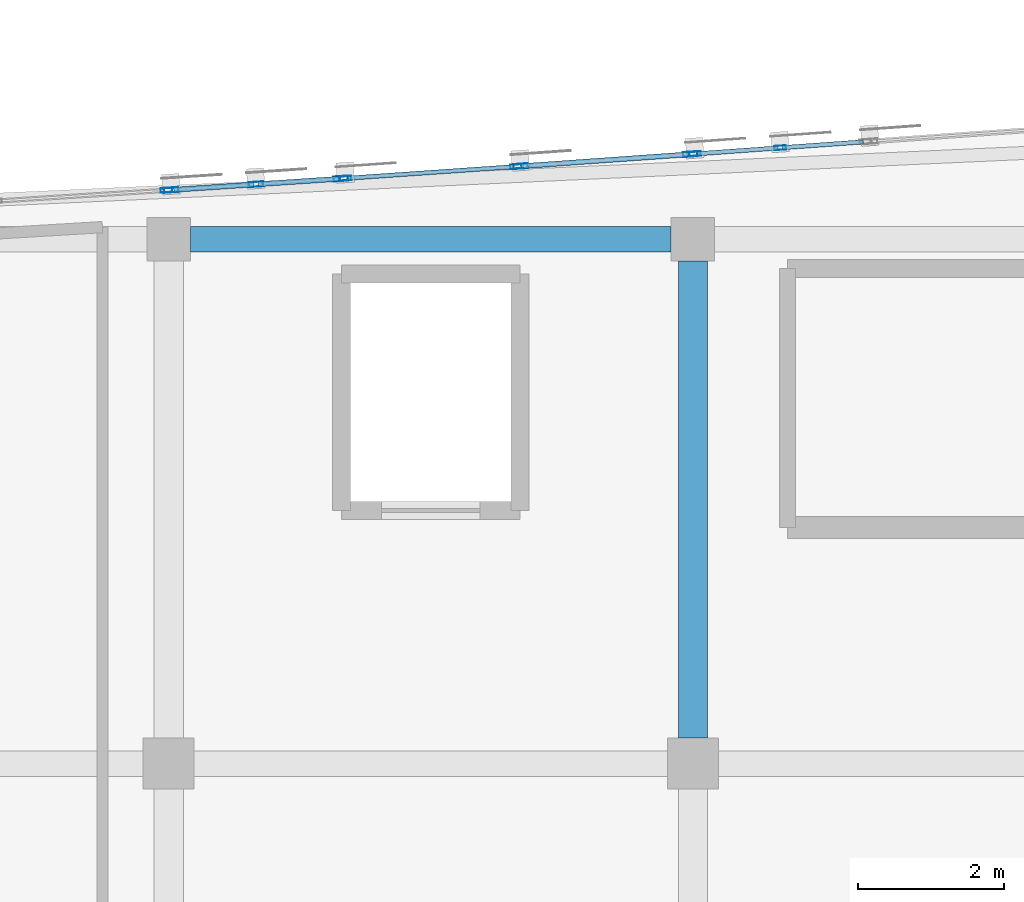
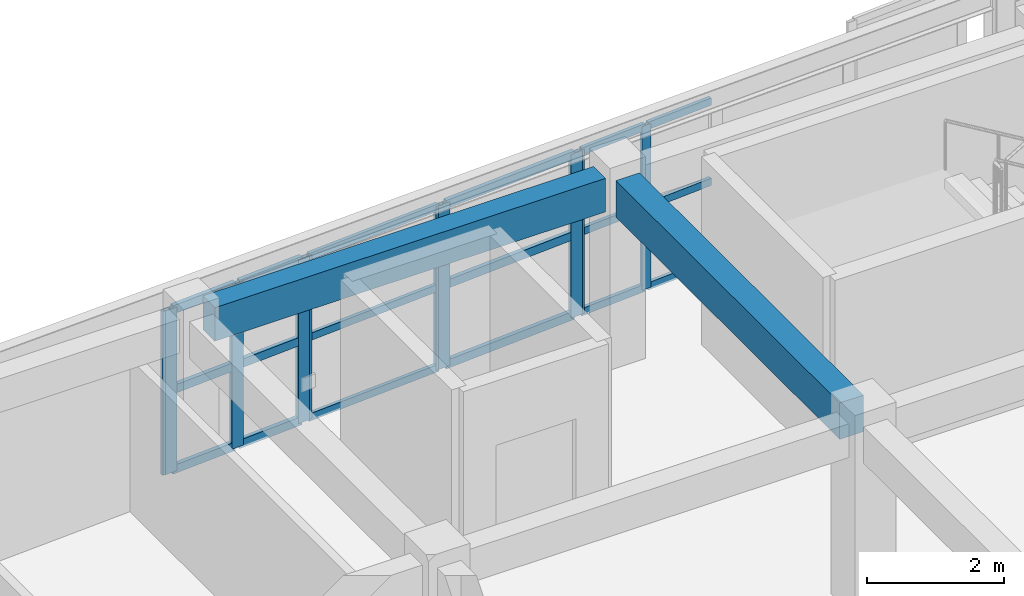
# One storey, part 8 of 48: 28 members, 2 beams, 5 elements without a shape of their own.
"""IFC4 building model written with IfcOpenShell, lengths in metres."""

from ifc_helpers import new_model, si_unit, direction, frame, origin, origin_2d, place, context, subcontext, project, spatial, rectangle, hollow_rectangle, extrude, material, layer, layer_set, material_profile, profile_set, type_object, element, aggregate, save


model = new_model("IFC4")

# Units and contexts
model_context = context("Model", 3, precision=1e-05, world=origin(), true_north=direction((0.0, 1.0)))
body_context = subcontext(model_context, "Body", "Model", "MODEL_VIEW")
ifc_project = project(units=[si_unit("LENGTHUNIT", "METRE"), si_unit("AREAUNIT", "SQUARE_METRE"), si_unit("VOLUMEUNIT", "CUBIC_METRE"), si_unit("PLANEANGLEUNIT", "RADIAN"), si_unit("MASSUNIT", "GRAM", prefix="KILO")], contexts=[model_context])

# Site, building, storey
site_placement = place(None, origin())
site = spatial("IfcSite", under=ifc_project, at=site_placement, CompositionType="ELEMENT")
building_placement = place(site_placement, origin())
building = spatial("IfcBuilding", under=site, at=building_placement, Name="Carrowvane Square Congress Hotel", CompositionType="ELEMENT")
storey_placement = place(building_placement, frame((0.0, 0.0, 26.39990234375)))
storey = spatial("IfcBuildingStorey", under=building, at=storey_placement, Name="L06", CompositionType="ELEMENT", Elevation=26.39990234375)

# Beams
ifc_material_1 = material(Name="Concrete C35/45", Category="concrete")
ifc_material_profile_1 = material_profile(ifc_material_1, rectangle(XDim=0.35009765625, YDim=0.60009765625, at=origin_2d()), Name="RC 350x600")
ifc_profile_set_1 = profile_set([ifc_material_profile_1], Name="Concrete C35/45")
beam_type_1 = type_object("IfcBeamType", Name="BM-RC-350x600", PredefinedType="BEAM", material=ifc_profile_set_1)
beam_1_placement = place(storey_placement, frame((47.89990234375, 113.39990234375, 3.050048828125), z_axis=(1.0, 0.0, 0.0), x_axis=(0.0, 1.0, 0.0)))
element("IfcBeam", 1, at=beam_1_placement, inside=storey, type_object=beam_type_1, Name="L07 girder R/6-7", PredefinedType="BEAM", context=body_context, shape_type="SweptSolid", body=[
    extrude(rectangle(XDim=0.35009765625, YDim=0.60009765625, at=origin_2d()), origin(), (0.0, 0.0, 1.0), 6.60009765625),
])
ifc_material_2 = material(Name="Concrete C35/45", Category="concrete")
ifc_material_profile_2 = material_profile(ifc_material_2, rectangle(XDim=0.39990234375, YDim=0.64990234375, at=origin_2d()), Name="RC 400x650")
ifc_profile_set_2 = profile_set([ifc_material_profile_2], Name="Concrete C35/45")
beam_type_2 = type_object("IfcBeamType", Name="BM-RC-400x650", PredefinedType="BEAM", material=ifc_profile_set_2)
beam_2_placement = place(storey_placement, frame((54.800048828125, 106.550048828125, 3.025146484375), z_axis=(0.0, 1.0, 0.0), x_axis=(-1.0, 0.0, 0.0)))
element("IfcBeam", 2, at=beam_2_placement, inside=storey, type_object=beam_type_2, Name="L07 girder 7/Q-R", PredefinedType="BEAM", context=body_context, shape_type="SweptSolid", body=[
    extrude(rectangle(XDim=0.39990234375, YDim=0.64990234375, at=origin_2d()), origin(), (0.0, 0.0, 1.0), 6.550048828125),
])

# Curtain wall, member
ifc_material_3 = material(Name="Anodised aluminium", Category="aluminium")
ifc_layer_1 = layer(ifc_material_3, 0.162109375)
ifc_layer_set_1 = layer_set([ifc_layer_1], Name="Anodised aluminium")
curtain_wall_type_1 = type_object("IfcCurtainWallType", Name="CW-SYS-1", PredefinedType="NOTDEFINED", material=ifc_layer_set_1)
curtain_wall_1_placement = place(storey_placement, origin())
curtain_wall_1 = element("IfcCurtainWall", 3, at=curtain_wall_1_placement, inside=storey, type_object=curtain_wall_type_1, Name="L06 unitised curtain wall 360", PredefinedType="NOTDEFINED")
ifc_material_4 = material(Name="Anodised aluminium", Category="aluminium")
ifc_material_profile_3 = material_profile(ifc_material_4, hollow_rectangle(XDim=0.06005859375, YDim=0.159912109375, WallThickness=0.00390625, at=origin_2d()), Name="CW-ML 60x160x4")
ifc_profile_set_3 = profile_set([ifc_material_profile_3], Name="Anodised aluminium")
member_type_1 = type_object("IfcMemberType", Name="CW-MUL-1", PredefinedType="MULLION", material=ifc_profile_set_3)
member_1_placement = place(storey_placement, frame((47.570068359375, 114.073486328125, 0.0), z_axis=(0.0, 0.0, 1.0), x_axis=(-0.063273487972, 0.997996225303, 0.0)))
member_1 = element("IfcMember", 4, at=member_1_placement, type_object=member_type_1, Name="CW-1 mullion 2", PredefinedType="MULLION", context=body_context, shape_type="SweptSolid", body=[
    extrude(hollow_rectangle(XDim=0.06005859375, YDim=0.159912109375, WallThickness=0.00390625, at=origin_2d()), origin(), (0.0, 0.0, 1.0), 2.92578125),
])
aggregate(curtain_wall_1, [member_1])

# Curtain wall, members
ifc_material_5 = material(Name="Anodised aluminium", Category="aluminium")
ifc_layer_2 = layer(ifc_material_5, 0.18603515625)
ifc_layer_set_2 = layer_set([ifc_layer_2], Name="Anodised aluminium")
curtain_wall_type_2 = type_object("IfcCurtainWallType", Name="CW-SYS-3", PredefinedType="NOTDEFINED", material=ifc_layer_set_2)
curtain_wall_2_placement = place(storey_placement, origin())
curtain_wall_2 = element("IfcCurtainWall", 5, at=curtain_wall_2_placement, inside=storey, type_object=curtain_wall_type_2, Name="L06 unitised curtain wall 362", PredefinedType="NOTDEFINED")
member_2_placement = place(storey_placement, frame((50.030029296875, 114.237548828125, 0.0), z_axis=(0.0, 0.0, 1.0), x_axis=(-0.068986120725, 0.997617619706, 0.0)))
member_2 = element("IfcMember", 6, at=member_2_placement, type_object=member_type_1, Name="CW-3 mullion 1", PredefinedType="MULLION", context=body_context, shape_type="SweptSolid", body=[
    extrude(hollow_rectangle(XDim=0.06005859375, YDim=0.159912109375, WallThickness=0.00390625, at=origin_2d()), origin(), (0.0, 0.0, 1.0), 2.92578125),
])
member_3_placement = place(storey_placement, frame((52.3701171875, 114.3994140625, 0.0), z_axis=(0.0, 0.0, 1.0), x_axis=(-0.068986120725, 0.997617619706, 0.0)))
member_3 = element("IfcMember", 7, at=member_3_placement, type_object=member_type_1, Name="CW-3 mullion 2", PredefinedType="MULLION", context=body_context, shape_type="SweptSolid", body=[
    extrude(hollow_rectangle(XDim=0.06005859375, YDim=0.159912109375, WallThickness=0.00390625, at=origin_2d()), origin(), (0.0, 0.0, 1.0), 2.92578125),
])

ifc_material_6 = material(Name="Anodised aluminium", Category="aluminium")
ifc_layer_3 = layer(ifc_material_6, 0.2099609375)
ifc_layer_set_3 = layer_set([ifc_layer_3], Name="Anodised aluminium")
curtain_wall_type_3 = type_object("IfcCurtainWallType", Name="CW-SYS-5", PredefinedType="NOTDEFINED", material=ifc_layer_set_3)
curtain_wall_3_placement = place(storey_placement, origin())
curtain_wall_3 = element("IfcCurtainWall", 8, at=curtain_wall_3_placement, inside=storey, type_object=curtain_wall_type_3, Name="L06 unitised curtain wall 364", PredefinedType="NOTDEFINED")
member_4_placement = place(storey_placement, frame((54.829833984375, 114.573486328125, 0.0), z_axis=(0.0, 0.0, 1.0), x_axis=(-0.071418356042, 0.997446448898, 0.0)))
member_4 = element("IfcMember", 9, at=member_4_placement, type_object=member_type_1, Name="CW-5 mullion 1", PredefinedType="MULLION", context=body_context, shape_type="SweptSolid", body=[
    extrude(hollow_rectangle(XDim=0.06005859375, YDim=0.159912109375, WallThickness=0.00390625, at=origin_2d()), origin(), (0.0, 0.0, 1.0), 2.92578125),
])
member_5_placement = place(storey_placement, frame((56.0, 114.6572265625, 0.0), z_axis=(0.0, 0.0, 1.0), x_axis=(-0.071418356042, 0.997446448898, 0.0)))
member_5 = element("IfcMember", 10, at=member_5_placement, type_object=member_type_1, Name="CW-5 mullion 2", PredefinedType="MULLION", context=body_context, shape_type="SweptSolid", body=[
    extrude(hollow_rectangle(XDim=0.06005859375, YDim=0.159912109375, WallThickness=0.00390625, at=origin_2d()), origin(), (0.0, 0.0, 1.0), 2.92578125),
])

ifc_material_7 = material(Name="Anodised aluminium", Category="aluminium")
ifc_layer_4 = layer(ifc_material_7, 0.174072265625)
ifc_layer_set_4 = layer_set([ifc_layer_4], Name="Anodised aluminium")
curtain_wall_type_4 = type_object("IfcCurtainWallType", Name="CW-SYS-2", PredefinedType="NOTDEFINED", material=ifc_layer_set_4)
curtain_wall_4_placement = place(storey_placement, origin())
curtain_wall_4 = element("IfcCurtainWall", 11, at=curtain_wall_4_placement, inside=storey, type_object=curtain_wall_type_4, Name="L06 unitised curtain wall 361", PredefinedType="NOTDEFINED")
ifc_material_8 = material(Name="Anodised aluminium", Category="aluminium")
ifc_material_profile_4 = material_profile(ifc_material_8, hollow_rectangle(XDim=0.070068359375, YDim=0.199951171875, WallThickness=0.0048828125, at=origin_2d()), Name="CW-ML 70x200x5")
ifc_profile_set_4 = profile_set([ifc_material_profile_4], Name="Anodised aluminium")
member_type_2 = type_object("IfcMemberType", Name="CW-MUL-2", PredefinedType="MULLION", material=ifc_profile_set_4)
member_6_placement = place(storey_placement, frame((47.635009765625, 114.07763671875, 0.0), z_axis=(0.0, 0.0, 1.0), x_axis=(-0.066578061501, 0.99778121937, 0.0)))
member_6 = element("IfcMember", 12, at=member_6_placement, type_object=member_type_2, Name="CW-2 mullion 1", PredefinedType="MULLION", context=body_context, shape_type="SweptSolid", body=[
    extrude(hollow_rectangle(XDim=0.070068359375, YDim=0.199951171875, WallThickness=0.0048828125, at=origin_2d()), origin(), (0.0, 0.0, 1.0), 2.92578125),
])
member_7_placement = place(storey_placement, frame((48.800048828125, 114.155517578125, 0.0), z_axis=(0.0, 0.0, 1.0), x_axis=(-0.066578061501, 0.99778121937, 0.0)))
member_7 = element("IfcMember", 13, at=member_7_placement, type_object=member_type_2, Name="CW-2 mullion 2", PredefinedType="MULLION", context=body_context, shape_type="SweptSolid", body=[
    extrude(hollow_rectangle(XDim=0.070068359375, YDim=0.199951171875, WallThickness=0.0048828125, at=origin_2d()), origin(), (0.0, 0.0, 1.0), 2.92578125),
])
member_8_placement = place(storey_placement, frame((49.965087890625, 114.233154296875, 0.0), z_axis=(0.0, 0.0, 1.0), x_axis=(-0.066578061501, 0.99778121937, 0.0)))
member_8 = element("IfcMember", 14, at=member_8_placement, type_object=member_type_2, Name="CW-2 mullion 3", PredefinedType="MULLION", context=body_context, shape_type="SweptSolid", body=[
    extrude(hollow_rectangle(XDim=0.070068359375, YDim=0.199951171875, WallThickness=0.0048828125, at=origin_2d()), origin(), (0.0, 0.0, 1.0), 2.92578125),
])

ifc_material_9 = material(Name="Anodised aluminium", Category="aluminium")
ifc_layer_5 = layer(ifc_material_9, 0.197998046875)
ifc_layer_set_5 = layer_set([ifc_layer_5], Name="Anodised aluminium")
curtain_wall_type_5 = type_object("IfcCurtainWallType", Name="CW-SYS-4", PredefinedType="NOTDEFINED", material=ifc_layer_set_5)
curtain_wall_5_placement = place(storey_placement, origin())
curtain_wall_5 = element("IfcCurtainWall", 15, at=curtain_wall_5_placement, inside=storey, type_object=curtain_wall_type_5, Name="L06 unitised curtain wall 363", PredefinedType="NOTDEFINED")
member_9_placement = place(storey_placement, frame((52.434814453125, 114.40380859375, 0.0), z_axis=(0.0, 0.0, 1.0), x_axis=(-0.070585996942, 0.997505697746, 0.0)))
member_9 = element("IfcMember", 16, at=member_9_placement, type_object=member_type_2, Name="CW-4 mullion 1", PredefinedType="MULLION", context=body_context, shape_type="SweptSolid", body=[
    extrude(hollow_rectangle(XDim=0.070068359375, YDim=0.199951171875, WallThickness=0.0048828125, at=origin_2d()), origin(), (0.0, 0.0, 1.0), 2.92578125),
])
member_10_placement = place(storey_placement, frame((54.76513671875, 114.56884765625, 0.0), z_axis=(0.0, 0.0, 1.0), x_axis=(-0.070585996942, 0.997505697746, 0.0)))
member_10 = element("IfcMember", 17, at=member_10_placement, type_object=member_type_2, Name="CW-4 mullion 2", PredefinedType="MULLION", context=body_context, shape_type="SweptSolid", body=[
    extrude(hollow_rectangle(XDim=0.070068359375, YDim=0.199951171875, WallThickness=0.0048828125, at=origin_2d()), origin(), (0.0, 0.0, 1.0), 2.92578125),
])

# Member
ifc_material_10 = material(Name="Anodised aluminium", Category="aluminium")
ifc_material_profile_5 = material_profile(ifc_material_10, hollow_rectangle(XDim=0.06005859375, YDim=0.1298828125, WallThickness=0.00390625, at=origin_2d()), Name="CW-TR 60x130x4")
ifc_profile_set_5 = profile_set([ifc_material_profile_5], Name="Anodised aluminium")
member_type_3 = type_object("IfcMemberType", Name="CW-TRN-1", PredefinedType="USERDEFINED", material=ifc_profile_set_5)
member_11_placement = place(storey_placement, frame((50.059814453125, 114.239501953125, 0.030029296875), z_axis=(0.997616657175, 0.069000038601, 0.0), x_axis=(-0.069000038601, 0.997616657175, 0.0)))
member_11 = element("IfcMember", 18, at=member_11_placement, type_object=member_type_3, Name="CW-3 transom 1.1", ObjectType="TRANSOM", PredefinedType="USERDEFINED", context=body_context, shape_type="SweptSolid", body=[
    extrude(hollow_rectangle(XDim=0.06005859375, YDim=0.1298828125, WallThickness=0.00390625, at=origin_2d()), origin(), (0.0, 0.0, 1.0), 2.28564453125),
])

member_12_placement = place(storey_placement, frame((50.059814453125, 114.239501953125, 1.462890625), z_axis=(0.997616657175, 0.069000038601, 0.0), x_axis=(-0.069000038601, 0.997616657175, 0.0)))
member_12 = element("IfcMember", 19, at=member_12_placement, type_object=member_type_3, Name="CW-3 transom 1.2", ObjectType="TRANSOM", PredefinedType="USERDEFINED", context=body_context, shape_type="SweptSolid", body=[
    extrude(hollow_rectangle(XDim=0.06005859375, YDim=0.1298828125, WallThickness=0.00390625, at=origin_2d()), origin(), (0.0, 0.0, 1.0), 2.28564453125),
])

member_13_placement = place(storey_placement, frame((50.059814453125, 114.239501953125, 2.895751953125), z_axis=(0.997616657175, 0.069000038601, 0.0), x_axis=(-0.069000038601, 0.997616657175, 0.0)))
member_13 = element("IfcMember", 20, at=member_13_placement, type_object=member_type_3, Name="CW-3 transom 1.3", ObjectType="TRANSOM", PredefinedType="USERDEFINED", context=body_context, shape_type="SweptSolid", body=[
    extrude(hollow_rectangle(XDim=0.06005859375, YDim=0.1298828125, WallThickness=0.00390625, at=origin_2d()), origin(), (0.0, 0.0, 1.0), 2.28564453125),
])

aggregate(curtain_wall_2, [member_2, member_3, member_11, member_12, member_13])

member_14_placement = place(storey_placement, frame((54.85986328125, 114.575439453125, 0.030029296875), z_axis=(0.997439734895, 0.071512063685, 0.0), x_axis=(-0.071512063685, 0.997439734895, 0.0)))
member_14 = element("IfcMember", 21, at=member_14_placement, type_object=member_type_3, Name="CW-5 transom 1.1", ObjectType="TRANSOM", PredefinedType="USERDEFINED", context=body_context, shape_type="SweptSolid", body=[
    extrude(hollow_rectangle(XDim=0.06005859375, YDim=0.1298828125, WallThickness=0.00390625, at=origin_2d()), origin(), (0.0, 0.0, 1.0), 1.113037109375),
])

member_15_placement = place(storey_placement, frame((54.85986328125, 114.575439453125, 1.462890625), z_axis=(0.997439734895, 0.071512063685, 0.0), x_axis=(-0.071512063685, 0.997439734895, 0.0)))
member_15 = element("IfcMember", 22, at=member_15_placement, type_object=member_type_3, Name="CW-5 transom 1.2", ObjectType="TRANSOM", PredefinedType="USERDEFINED", context=body_context, shape_type="SweptSolid", body=[
    extrude(hollow_rectangle(XDim=0.06005859375, YDim=0.1298828125, WallThickness=0.00390625, at=origin_2d()), origin(), (0.0, 0.0, 1.0), 1.113037109375),
])

member_16_placement = place(storey_placement, frame((54.85986328125, 114.575439453125, 2.895751953125), z_axis=(0.997439734895, 0.071512063685, 0.0), x_axis=(-0.071512063685, 0.997439734895, 0.0)))
member_16 = element("IfcMember", 23, at=member_16_placement, type_object=member_type_3, Name="CW-5 transom 1.3", ObjectType="TRANSOM", PredefinedType="USERDEFINED", context=body_context, shape_type="SweptSolid", body=[
    extrude(hollow_rectangle(XDim=0.06005859375, YDim=0.1298828125, WallThickness=0.00390625, at=origin_2d()), origin(), (0.0, 0.0, 1.0), 1.113037109375),
])

member_17_placement = place(storey_placement, frame((56.02978515625, 114.659423828125, 0.030029296875), z_axis=(0.997456472769, 0.071278221999, 0.0), x_axis=(-0.071278221999, 0.997456472769, 0.0)))
member_17 = element("IfcMember", 24, at=member_17_placement, type_object=member_type_3, Name="CW-5 transom 2.1", ObjectType="TRANSOM", PredefinedType="USERDEFINED", context=body_context, shape_type="SweptSolid", body=[
    extrude(hollow_rectangle(XDim=0.06005859375, YDim=0.1298828125, WallThickness=0.00390625, at=origin_2d()), origin(), (0.0, 0.0, 1.0), 1.11328125),
])

member_18_placement = place(storey_placement, frame((56.02978515625, 114.659423828125, 1.462890625), z_axis=(0.997456472769, 0.071278221999, 0.0), x_axis=(-0.071278221999, 0.997456472769, 0.0)))
member_18 = element("IfcMember", 25, at=member_18_placement, type_object=member_type_3, Name="CW-5 transom 2.2", ObjectType="TRANSOM", PredefinedType="USERDEFINED", context=body_context, shape_type="SweptSolid", body=[
    extrude(hollow_rectangle(XDim=0.06005859375, YDim=0.1298828125, WallThickness=0.00390625, at=origin_2d()), origin(), (0.0, 0.0, 1.0), 1.11328125),
])

member_19_placement = place(storey_placement, frame((56.02978515625, 114.659423828125, 2.895751953125), z_axis=(0.997456472769, 0.071278221999, 0.0), x_axis=(-0.071278221999, 0.997456472769, 0.0)))
member_19 = element("IfcMember", 26, at=member_19_placement, type_object=member_type_3, Name="CW-5 transom 2.3", ObjectType="TRANSOM", PredefinedType="USERDEFINED", context=body_context, shape_type="SweptSolid", body=[
    extrude(hollow_rectangle(XDim=0.06005859375, YDim=0.1298828125, WallThickness=0.00390625, at=origin_2d()), origin(), (0.0, 0.0, 1.0), 1.11328125),
])

aggregate(curtain_wall_3, [member_4, member_5, member_14, member_15, member_16, member_17, member_18, member_19])

ifc_material_11 = material(Name="Anodised aluminium", Category="aluminium")
ifc_material_profile_6 = material_profile(ifc_material_11, hollow_rectangle(XDim=0.070068359375, YDim=0.14990234375, WallThickness=0.0048828125, at=origin_2d()), Name="CW-TR 70x150x5")
ifc_profile_set_6 = profile_set([ifc_material_profile_6], Name="Anodised aluminium")
member_type_4 = type_object("IfcMemberType", Name="CW-TRN-2", PredefinedType="USERDEFINED", material=ifc_profile_set_6)
member_20_placement = place(storey_placement, frame((47.669921875, 114.080078125, 0.03515625), z_axis=(0.997786141917, 0.066504247979, 0.0), x_axis=(-0.066504247979, 0.997786141917, 0.0)))
member_20 = element("IfcMember", 27, at=member_20_placement, type_object=member_type_4, Name="CW-2 transom 1.1", ObjectType="TRANSOM", PredefinedType="USERDEFINED", context=body_context, shape_type="SweptSolid", body=[
    extrude(hollow_rectangle(XDim=0.070068359375, YDim=0.14990234375, WallThickness=0.0048828125, at=origin_2d()), origin(), (0.0, 0.0, 1.0), 1.09765625),
])

member_21_placement = place(storey_placement, frame((47.669921875, 114.080078125, 1.462890625), z_axis=(0.997786141917, 0.066504247979, 0.0), x_axis=(-0.066504247979, 0.997786141917, 0.0)))
member_21 = element("IfcMember", 28, at=member_21_placement, type_object=member_type_4, Name="CW-2 transom 1.2", ObjectType="TRANSOM", PredefinedType="USERDEFINED", context=body_context, shape_type="SweptSolid", body=[
    extrude(hollow_rectangle(XDim=0.070068359375, YDim=0.14990234375, WallThickness=0.0048828125, at=origin_2d()), origin(), (0.0, 0.0, 1.0), 1.09765625),
])

member_22_placement = place(storey_placement, frame((47.669921875, 114.080078125, 2.890625), z_axis=(0.997786141917, 0.066504247979, 0.0), x_axis=(-0.066504247979, 0.997786141917, 0.0)))
member_22 = element("IfcMember", 29, at=member_22_placement, type_object=member_type_4, Name="CW-2 transom 1.3", ObjectType="TRANSOM", PredefinedType="USERDEFINED", context=body_context, shape_type="SweptSolid", body=[
    extrude(hollow_rectangle(XDim=0.070068359375, YDim=0.14990234375, WallThickness=0.0048828125, at=origin_2d()), origin(), (0.0, 0.0, 1.0), 1.09765625),
])

member_23_placement = place(storey_placement, frame((48.8349609375, 114.15771484375, 0.03515625), z_axis=(0.997786141917, 0.066504247979, 0.0), x_axis=(-0.066504247979, 0.997786141917, 0.0)))
member_23 = element("IfcMember", 30, at=member_23_placement, type_object=member_type_4, Name="CW-2 transom 2.1", ObjectType="TRANSOM", PredefinedType="USERDEFINED", context=body_context, shape_type="SweptSolid", body=[
    extrude(hollow_rectangle(XDim=0.070068359375, YDim=0.14990234375, WallThickness=0.0048828125, at=origin_2d()), origin(), (0.0, 0.0, 1.0), 1.09765625),
])

member_24_placement = place(storey_placement, frame((48.8349609375, 114.15771484375, 1.462890625), z_axis=(0.997786141917, 0.066504247979, 0.0), x_axis=(-0.066504247979, 0.997786141917, 0.0)))
member_24 = element("IfcMember", 31, at=member_24_placement, type_object=member_type_4, Name="CW-2 transom 2.2", ObjectType="TRANSOM", PredefinedType="USERDEFINED", context=body_context, shape_type="SweptSolid", body=[
    extrude(hollow_rectangle(XDim=0.070068359375, YDim=0.14990234375, WallThickness=0.0048828125, at=origin_2d()), origin(), (0.0, 0.0, 1.0), 1.09765625),
])

member_25_placement = place(storey_placement, frame((48.8349609375, 114.15771484375, 2.890625), z_axis=(0.997786141917, 0.066504247979, 0.0), x_axis=(-0.066504247979, 0.997786141917, 0.0)))
member_25 = element("IfcMember", 32, at=member_25_placement, type_object=member_type_4, Name="CW-2 transom 2.3", ObjectType="TRANSOM", PredefinedType="USERDEFINED", context=body_context, shape_type="SweptSolid", body=[
    extrude(hollow_rectangle(XDim=0.070068359375, YDim=0.14990234375, WallThickness=0.0048828125, at=origin_2d()), origin(), (0.0, 0.0, 1.0), 1.09765625),
])

aggregate(curtain_wall_4, [member_6, member_7, member_8, member_20, member_21, member_22, member_23, member_24, member_25])

member_26_placement = place(storey_placement, frame((52.4697265625, 114.406494140625, 0.03515625), z_axis=(0.997507138694, 0.070565630829, 0.0), x_axis=(-0.070565630829, 0.997507138694, 0.0)))
member_26 = element("IfcMember", 33, at=member_26_placement, type_object=member_type_4, Name="CW-4 transom 1.1", ObjectType="TRANSOM", PredefinedType="USERDEFINED", context=body_context, shape_type="SweptSolid", body=[
    extrude(hollow_rectangle(XDim=0.070068359375, YDim=0.14990234375, WallThickness=0.0048828125, at=origin_2d()), origin(), (0.0, 0.0, 1.0), 2.26611328125),
])

member_27_placement = place(storey_placement, frame((52.4697265625, 114.406494140625, 1.462890625), z_axis=(0.997507138694, 0.070565630829, 0.0), x_axis=(-0.070565630829, 0.997507138694, 0.0)))
member_27 = element("IfcMember", 34, at=member_27_placement, type_object=member_type_4, Name="CW-4 transom 1.2", ObjectType="TRANSOM", PredefinedType="USERDEFINED", context=body_context, shape_type="SweptSolid", body=[
    extrude(hollow_rectangle(XDim=0.070068359375, YDim=0.14990234375, WallThickness=0.0048828125, at=origin_2d()), origin(), (0.0, 0.0, 1.0), 2.26611328125),
])

member_28_placement = place(storey_placement, frame((52.4697265625, 114.406494140625, 2.890625), z_axis=(0.997507138694, 0.070565630829, 0.0), x_axis=(-0.070565630829, 0.997507138694, 0.0)))
member_28 = element("IfcMember", 35, at=member_28_placement, type_object=member_type_4, Name="CW-4 transom 1.3", ObjectType="TRANSOM", PredefinedType="USERDEFINED", context=body_context, shape_type="SweptSolid", body=[
    extrude(hollow_rectangle(XDim=0.070068359375, YDim=0.14990234375, WallThickness=0.0048828125, at=origin_2d()), origin(), (0.0, 0.0, 1.0), 2.26611328125),
])

aggregate(curtain_wall_5, [member_9, member_10, member_26, member_27, member_28])

save(model, "model.ifc")
